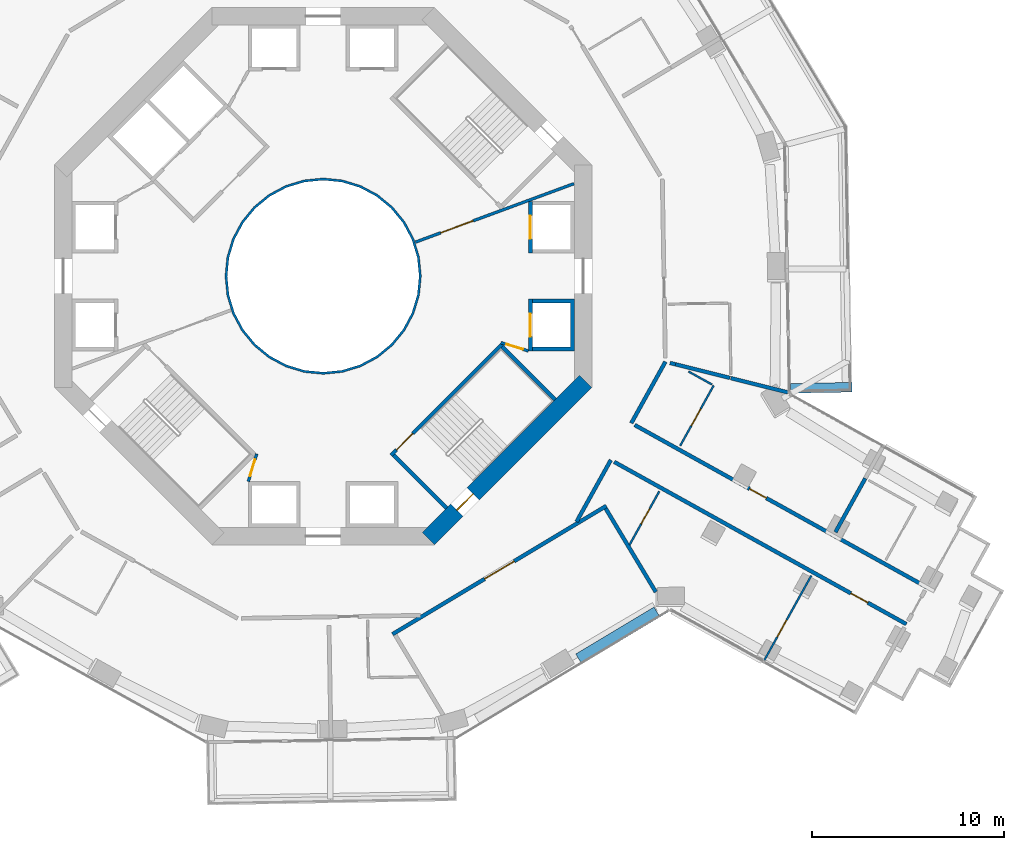
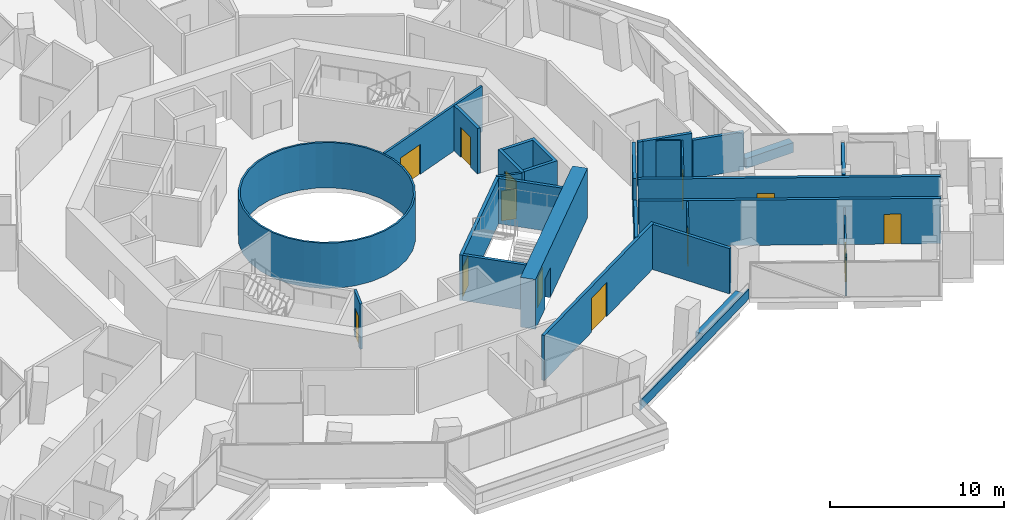
# One storey, part 19 of 25: 28 walls, 13 doors, 13 openings.
"""IFC4 building model written with IfcOpenShell, lengths in metres."""

from ifc_helpers import new_model, si_unit, direction, frame, frame_2d, origin, place, context, subcontext, project, spatial, polyline, rectangle, outline, extrude, material, layer, layer_set, type_object, element, fill, save


model = new_model("IFC4")

# Units and contexts
model_context = context("Model", 3, precision=1e-05, world=origin(), true_north=direction((0.0, 1.0)))
body_context = subcontext(model_context, "Body", "Model", "MODEL_VIEW")
ifc_project = project(units=[si_unit("LENGTHUNIT", "METRE"), si_unit("AREAUNIT", "SQUARE_METRE"), si_unit("VOLUMEUNIT", "CUBIC_METRE"), si_unit("PLANEANGLEUNIT", "RADIAN"), si_unit("MASSUNIT", "GRAM", prefix="KILO")], contexts=[model_context])

# Site, building, storey
site_placement = place(None, origin())
site = spatial("IfcSite", under=ifc_project, at=site_placement, CompositionType="ELEMENT")
building_placement = place(site_placement, origin())
building = spatial("IfcBuilding", under=site, at=building_placement, Name="Verdalira Terraces Hotel", CompositionType="ELEMENT")
storey_placement = place(building_placement, frame((0.0, 0.0, 39.0)))
storey = spatial("IfcBuildingStorey", under=building, at=storey_placement, Name="L07", CompositionType="ELEMENT", Elevation=39.0)

# Walls
ifc_material_1 = material(Name="Fire-resisting glass EI 180", Category="glass")
ifc_layer_1 = layer(ifc_material_1, 0.1201171875)
ifc_layer_set_1 = layer_set([ifc_layer_1], Name="Atrium fire screen 120 mm")
wall_type_1 = type_object("IfcWallType", Name="Atrium fire screen 120 mm", PredefinedType="SOLIDWALL", material=ifc_layer_set_1)
wall_1_placement = place(storey_placement, origin())
element("IfcWall", 1, at=wall_1_placement, inside=storey, type_object=wall_type_1, Name="Atrium fire screen", PredefinedType="SOLIDWALL", context=body_context, shape_type="SweptSolid", body=[
    extrude(outline(polyline([(5.021484, -0.998779), (4.730225, -1.959229), (4.25708, -2.844482), (3.620361, -3.620361), (2.844482, -4.25708), (1.959229, -4.730225), (0.998779, -5.021484), (0.0, -5.120117), (-0.998779, -5.021484), (-1.959229, -4.730225), (-2.844482, -4.25708), (-3.620361, -3.620361), (-4.25708, -2.844482), (-4.730225, -1.959229), (-5.021484, -0.998779), (-5.120117, 0.0), (-5.021484, 0.998779), (-4.730225, 1.959229), (-4.25708, 2.844482), (-3.620361, 3.620361), (-2.844482, 4.25708), (-1.959229, 4.730225), (-0.998779, 5.021484), (0.0, 5.120117), (0.998779, 5.021484), (1.959229, 4.730225), (2.844482, 4.25708), (3.620361, 3.620361), (4.25708, 2.844482), (4.730225, 1.959229), (5.021484, 0.998779), (5.120117, 0.0), (5.021484, -0.998779)]), holes=[polyline([(4.903809, 0.975586), (4.619385, 1.91333), (4.157227, 2.777832), (3.5354, 3.5354), (2.777832, 4.157227), (1.91333, 4.619385), (0.975586, 4.903809), (0.0, 5.0), (-0.975586, 4.903809), (-1.91333, 4.619385), (-2.777832, 4.157227), (-3.5354, 3.5354), (-4.157227, 2.777832), (-4.619385, 1.91333), (-4.903809, 0.975586), (-5.0, 0.0), (-4.903809, -0.975586), (-4.619385, -1.91333), (-4.157227, -2.777832), (-3.5354, -3.5354), (-2.777832, -4.157227), (-1.91333, -4.619385), (-0.975586, -4.903809), (0.0, -5.0), (0.975586, -4.903809), (1.91333, -4.619385), (2.777832, -4.157227), (3.5354, -3.5354), (4.157227, -2.777832), (4.619385, -1.91333), (4.903809, -0.975586), (5.0, 0.0), (4.903809, 0.975586)])]), origin(), (0.0, 0.0, 1.0), 3.189941),
])
ifc_material_2 = material(Name="Concrete C40", Category="concrete")
ifc_layer_2 = layer(ifc_material_2, 0.5)
ifc_layer_set_2 = layer_set([ifc_layer_2], Name="Balcony planter trough with tree")
wall_type_2 = type_object("IfcWallType", Name="Balcony planter trough with tree", PredefinedType="SOLIDWALL", material=ifc_layer_set_2)
wall_2_placement = place(storey_placement, frame((24.360596, -5.842773, 0.0), z_axis=(0.0, 0.0, 1.0), x_axis=(0.999859034, 0.016790244, 0.0)))
element("IfcWall", 2, at=wall_2_placement, inside=storey, type_object=wall_type_2, Name="Balcony planter", PredefinedType="SOLIDWALL", context=body_context, shape_type="SweptSolid", body=[
    extrude(rectangle(XDim=3.198975, YDim=0.5, at=frame_2d((1.599609, 0.0))), origin(), (0.0, 0.0, 1.0), 0.699951),
])

# Wall, opening, door
ifc_material_3 = material(Name="Moisture-resistant gypsum board partition")
ifc_layer_3 = layer(ifc_material_3, 0.10009765625)
ifc_layer_set_3 = layer_set([ifc_layer_3], Name="Bathroom partition 100 mm")
wall_type_3 = type_object("IfcWallType", Name="Bathroom partition 100 mm", PredefinedType="PARTITIONING", material=ifc_layer_set_3)
wall_3_placement = place(storey_placement, frame((15.9646, -14.01001, 0.0), z_axis=(0.0, 0.0, 1.0), x_axis=(0.485442051, 0.874268846, 0.0)))
wall_3 = element("IfcWall", 3, at=wall_3_placement, inside=storey, type_object=wall_type_3, Name="Bathroom partition", PredefinedType="PARTITIONING", context=body_context, shape_type="SweptSolid", body=[
    extrude(rectangle(XDim=3.199219, YDim=0.100098, at=frame_2d((1.599609, 0.0))), origin(), (0.0, 0.0, 1.0), 3.189941),
])
opening_1_placement = place(wall_3_placement, frame((1.25, 0.0, 0.0)))
opening_1 = element("IfcOpeningElement", 4, at=opening_1_placement, cuts=wall_3, Name="Opening L07-123", PredefinedType="OPENING", context=body_context, shape_type="SweptSolid", body=[
    extrude(rectangle(XDim=0.899902, YDim=2.100098, at=frame_2d((0.449951, 1.050049))), frame((0.0, 0.060059, 0.0), z_axis=(0.0, -1.0, 0.0), x_axis=(1.0, 0.0, 0.0)), (0.0, 0.0, 1.0), 0.120117),
])
ifc_material_4 = material(Name="Timber door", Category="wood")
door_type_1 = type_object("IfcDoorType", Name="Bathroom door 900 x 2100", OperationType="NOTDEFINED", PredefinedType="DOOR", material=ifc_material_4)
door_1_placement = place(opening_1_placement, origin())
door_1 = element("IfcDoor", 5, at=door_1_placement, inside=storey, type_object=door_type_1, Name="Bathroom door 0711", OperationType="SINGLE_SWING_LEFT", OverallHeight=2.10009765625, OverallWidth=0.89990234375, PredefinedType="DOOR", context=body_context, shape_type="SweptSolid", body=[
    extrude(rectangle(XDim=0.899902, YDim=2.100098, at=frame_2d((0.449951, 1.050049))), frame((0.0, 0.024902, 0.0), z_axis=(0.0, -1.0, 0.0), x_axis=(1.0, 0.0, 0.0)), (0.0, 0.0, 1.0), 0.050049),
])
fill(opening_1, door_1)

wall_4_placement = place(storey_placement, frame((18.604736, -8.843018, 0.0), z_axis=(0.0, 0.0, 1.0), x_axis=(0.485395335, 0.874294783, 0.0)))
wall_4 = element("IfcWall", 6, at=wall_4_placement, inside=storey, type_object=wall_type_3, Name="Bathroom partition", PredefinedType="PARTITIONING", context=body_context, shape_type="SweptSolid", body=[
    extrude(rectangle(XDim=3.600342, YDim=0.100098, at=frame_2d((1.800293, 0.0))), origin(), (0.0, 0.0, 1.0), 3.189941),
])
opening_2_placement = place(wall_4_placement, frame((1.199951, 0.0, 0.0)))
opening_2 = element("IfcOpeningElement", 7, at=opening_2_placement, cuts=wall_4, Name="Opening L07-128", PredefinedType="OPENING", context=body_context, shape_type="SweptSolid", body=[
    extrude(rectangle(XDim=1.0, YDim=2.100098, at=frame_2d((0.5, 1.050049))), frame((0.0, 0.060059, 0.0), z_axis=(0.0, -1.0, 0.0), x_axis=(1.0, 0.0, 0.0)), (0.0, 0.0, 1.0), 0.120117),
])
ifc_material_5 = material(Name="Timber door", Category="wood")
door_type_2 = type_object("IfcDoorType", Name="Bathroom door 1000 x 2100", OperationType="NOTDEFINED", PredefinedType="DOOR", material=ifc_material_5)
door_2_placement = place(opening_2_placement, origin())
door_2 = element("IfcDoor", 8, at=door_2_placement, inside=storey, type_object=door_type_2, Name="Bathroom door 0713", OperationType="SINGLE_SWING_RIGHT", OverallHeight=2.10009765625, OverallWidth=1.0, PredefinedType="DOOR", context=body_context, shape_type="SweptSolid", body=[
    extrude(rectangle(XDim=1.0, YDim=2.100098, at=frame_2d((0.5, 1.050049))), frame((0.0, 0.024902, 0.0), z_axis=(0.0, -1.0, 0.0), x_axis=(1.0, 0.0, 0.0)), (0.0, 0.0, 1.0), 0.050049),
])
fill(opening_2, door_2)

# Wall
wall_5_placement = place(storey_placement, frame((19.042236, -4.968018, 0.0), z_axis=(0.0, 0.0, 1.0), x_axis=(0.87424784, -0.485479881, 0.0)))
element("IfcWall", 9, at=wall_5_placement, inside=storey, type_object=wall_type_3, Name="Bathroom partition", PredefinedType="PARTITIONING", context=body_context, shape_type="SweptSolid", body=[
    extrude(rectangle(XDim=1.398438, YDim=0.100098, at=frame_2d((0.699219, 0.0))), origin(), (0.0, 0.0, 1.0), 3.189941),
])

# Wall, opening, door
ifc_material_6 = material(Name="Moisture-resistant gypsum board partition")
ifc_layer_4 = layer(ifc_material_6, 0.10009765625)
ifc_layer_set_4 = layer_set([ifc_layer_4], Name="Bathroom partition 100 mm to beam soffit")
wall_type_4 = type_object("IfcWallType", Name="Bathroom partition 100 mm to beam soffit", PredefinedType="PARTITIONING", material=ifc_layer_set_4)
wall_6_placement = place(storey_placement, frame((22.98584, -20.025391, 0.0), z_axis=(0.0, 0.0, 1.0), x_axis=(0.485413057, 0.874284945, 0.0)))
wall_6 = element("IfcWall", 10, at=wall_6_placement, inside=storey, type_object=wall_type_4, Name="Bathroom partition", PredefinedType="PARTITIONING", context=body_context, shape_type="SweptSolid", body=[
    extrude(rectangle(XDim=5.050049, YDim=0.100098, at=frame_2d((2.524902, 0.0))), origin(), (0.0, 0.0, 1.0), 2.689941),
])
opening_3_placement = place(wall_6_placement, frame((1.399902, 0.0, 0.0)))
opening_3 = element("IfcOpeningElement", 11, at=opening_3_placement, cuts=wall_6, Name="Opening L07-122", PredefinedType="OPENING", context=body_context, shape_type="SweptSolid", body=[
    extrude(rectangle(XDim=1.0, YDim=2.100098, at=frame_2d((0.5, 1.050049))), frame((0.0, 0.060059, 0.0), z_axis=(0.0, -1.0, 0.0), x_axis=(1.0, 0.0, 0.0)), (0.0, 0.0, 1.0), 0.120117),
])
ifc_material_7 = material(Name="Timber door", Category="wood")
door_type_3 = type_object("IfcDoorType", Name="Suite internal door 1000 x 2100", OperationType="NOTDEFINED", PredefinedType="DOOR", material=ifc_material_7)
door_3_placement = place(opening_3_placement, origin())
door_3 = element("IfcDoor", 12, at=door_3_placement, inside=storey, type_object=door_type_3, Name="Suite internal door 0711", OperationType="SINGLE_SWING_LEFT", OverallHeight=2.10009765625, OverallWidth=1.0, PredefinedType="DOOR", context=body_context, shape_type="SweptSolid", body=[
    extrude(rectangle(XDim=1.0, YDim=2.100098, at=frame_2d((0.5, 1.050049))), frame((0.0, 0.024902, 0.0), z_axis=(0.0, -1.0, 0.0), x_axis=(1.0, 0.0, 0.0)), (0.0, 0.0, 1.0), 0.050049),
])
fill(opening_3, door_3)

# Wall
ifc_material_8 = material(Name="Concrete C50", Category="concrete")
ifc_layer_5 = layer(ifc_material_8, 0.199951171875)
ifc_layer_set_5 = layer_set([ifc_layer_5], Name="Core RC wall 200 C50")
wall_type_5 = type_object("IfcWallType", Name="Core RC wall 200 C50", PredefinedType="SOLIDWALL", material=ifc_layer_set_5)
wall_7_placement = place(storey_placement, origin())
element("IfcWall", 13, at=wall_7_placement, inside=storey, type_object=wall_type_5, Name="L07 shaft wall E1", PredefinedType="SOLIDWALL", context=body_context, shape_type="SweptSolid", body=[
    extrude(outline(polyline([(13.100098, -3.899902), (10.899902, -3.899902), (10.899902, -3.699951), (12.899902, -3.699951), (12.899902, -1.399902), (10.899902, -1.399902), (10.899902, -1.199951), (13.100098, -1.199951), (13.100098, -3.899902)])), origin(), (0.0, 0.0, 1.0), 3.189941),
])

# Wall, opening, door
wall_8_placement = place(storey_placement, frame((10.800049, -1.199951, 0.0), z_axis=(0.0, 0.0, 1.0), x_axis=(0.0, -1.0, 0.0)))
wall_8 = element("IfcWall", 14, at=wall_8_placement, inside=storey, type_object=wall_type_5, Name="L07 shaft front wall E1", PredefinedType="SOLIDWALL", context=body_context, shape_type="SweptSolid", body=[
    extrude(rectangle(XDim=2.699951, YDim=0.199951, at=frame_2d((1.350098, 0.0))), origin(), (0.0, 0.0, 1.0), 3.189941),
])
opening_4_placement = place(wall_8_placement, frame((0.75, 0.0, 0.0)))
opening_4 = element("IfcOpeningElement", 15, at=opening_4_placement, cuts=wall_8, Name="Opening LD-L07-801", PredefinedType="OPENING", context=body_context, shape_type="SweptSolid", body=[
    extrude(rectangle(XDim=1.199951, YDim=2.100098, at=frame_2d((0.600098, 1.050049))), frame((0.0, 0.109863, 0.0), z_axis=(0.0, -1.0, 0.0), x_axis=(1.0, 0.0, 0.0)), (0.0, 0.0, 1.0), 0.219971),
])
ifc_material_9 = material(Name="Stainless steel", Category="steel")
door_type_4 = type_object("IfcDoorType", Name="Landing door 1200 x 2100", OperationType="NOTDEFINED", PredefinedType="DOOR", material=ifc_material_9)
door_4_placement = place(opening_4_placement, origin())
door_4 = element("IfcDoor", 16, at=door_4_placement, inside=storey, type_object=door_type_4, Name="Lift landing door LR1 L07", OperationType="DOUBLE_DOOR_SLIDING", OverallHeight=2.10009765625, OverallWidth=1.199951171875, PredefinedType="DOOR", context=body_context, shape_type="SweptSolid", body=[
    extrude(rectangle(XDim=1.199951, YDim=2.100098, at=frame_2d((0.600098, 1.050049))), frame((0.0, 0.024902, 0.0), z_axis=(0.0, -1.0, 0.0), x_axis=(1.0, 0.0, 0.0)), (0.0, 0.0, 1.0), 0.050049),
])
fill(opening_4, door_4)

wall_9_placement = place(storey_placement, frame((10.800049, 1.199951, 0.0), z_axis=(0.0, 0.0, 1.0), x_axis=(0.0, 1.0, 0.0)))
wall_9 = element("IfcWall", 17, at=wall_9_placement, inside=storey, type_object=wall_type_5, Name="L07 shaft front wall E2", PredefinedType="SOLIDWALL", context=body_context, shape_type="SweptSolid", body=[
    extrude(rectangle(XDim=2.699951, YDim=0.199951, at=frame_2d((1.350098, 0.0))), origin(), (0.0, 0.0, 1.0), 3.189941),
])
opening_5_placement = place(wall_9_placement, frame((0.75, 0.0, 0.0)))
opening_5 = element("IfcOpeningElement", 18, at=opening_5_placement, cuts=wall_9, Name="Opening LD-L07-802", PredefinedType="OPENING", context=body_context, shape_type="SweptSolid", body=[
    extrude(rectangle(XDim=1.199951, YDim=2.100098, at=frame_2d((0.600098, 1.050049))), frame((0.0, 0.109863, 0.0), z_axis=(0.0, -1.0, 0.0), x_axis=(1.0, 0.0, 0.0)), (0.0, 0.0, 1.0), 0.219971),
])
door_5_placement = place(opening_5_placement, origin())
door_5 = element("IfcDoor", 19, at=door_5_placement, inside=storey, type_object=door_type_4, Name="Lift landing door LR2 L07", OperationType="DOUBLE_DOOR_SLIDING", OverallHeight=2.10009765625, OverallWidth=1.199951171875, PredefinedType="DOOR", context=body_context, shape_type="SweptSolid", body=[
    extrude(rectangle(XDim=1.199951, YDim=2.100098, at=frame_2d((0.600098, 1.050049))), frame((0.0, 0.024902, 0.0), z_axis=(0.0, -1.0, 0.0), x_axis=(1.0, 0.0, 0.0)), (0.0, 0.0, 1.0), 0.050049),
])
fill(opening_5, door_5)

wall_10_placement = place(storey_placement, frame((9.33374, -3.5354, 0.0), z_axis=(0.0, 0.0, 1.0), x_axis=(-0.707106781, -0.707106781, 0.0)))
wall_10 = element("IfcWall", 20, at=wall_10_placement, inside=storey, type_object=wall_type_5, Name="L07 stair ST3 front wall", PredefinedType="SOLIDWALL", context=body_context, shape_type="SweptSolid", body=[
    extrude(rectangle(XDim=8.200195, YDim=0.199951, at=frame_2d((4.100098, 0.0))), origin(), (0.0, 0.0, 1.0), 3.189941),
])
opening_6_placement = place(wall_10_placement, frame((6.600098, 0.0, 0.0)))
opening_6 = element("IfcOpeningElement", 21, at=opening_6_placement, cuts=wall_10, Name="Opening L07-811", PredefinedType="OPENING", context=body_context, shape_type="SweptSolid", body=[
    extrude(rectangle(XDim=1.199951, YDim=2.100098, at=frame_2d((0.600098, 1.050049))), frame((0.0, 0.109863, 0.0), z_axis=(0.0, -1.0, 0.0), x_axis=(1.0, 0.0, 0.0)), (0.0, 0.0, 1.0), 0.219971),
])
ifc_material_10 = material(Name="Steel fire door", Category="steel")
door_type_5 = type_object("IfcDoorType", Name="Stair door 1200 x 2100", OperationType="NOTDEFINED", PredefinedType="DOOR", material=ifc_material_10)
door_6_placement = place(opening_6_placement, origin())
door_6 = element("IfcDoor", 22, at=door_6_placement, inside=storey, type_object=door_type_5, Name="Stair door ST3 L07", OperationType="SINGLE_SWING_RIGHT", OverallHeight=2.10009765625, OverallWidth=1.199951171875, PredefinedType="DOOR", context=body_context, shape_type="SweptSolid", body=[
    extrude(rectangle(XDim=1.199951, YDim=2.100098, at=frame_2d((0.600098, 1.050049))), frame((0.0, 0.024902, 0.0), z_axis=(0.0, -1.0, 0.0), x_axis=(1.0, 0.0, 0.0)), (0.0, 0.0, 1.0), 0.050049),
])
fill(opening_6, door_6)

# Walls
for number, where, z_axis, x_axis, name in (
    (23, (3.677002, -9.33374, 0.0), (0.0, 0.0, 1.0), (0.707106781, -0.707106781, 0.0), "L07 stair ST3 end wall 1"),
    (24, (9.33374, -3.677002, 0.0), (0.0, 0.0, 1.0), (0.707106781, -0.707106781, 0.0), "L07 stair ST3 end wall 2"),
):
    element("IfcWall", number, at=place(storey_placement, frame(where, z_axis=z_axis, x_axis=x_axis)), inside=storey, type_object=wall_type_5, Name=name, PredefinedType="SOLIDWALL", context=body_context, shape_type="SweptSolid", body=[
        extrude(rectangle(XDim=3.900146, YDim=0.199951, at=frame_2d((1.950195, 0.0))), origin(), (0.0, 0.0, 1.0), 3.189941),
    ])

# Wall, opening, door
ifc_material_11 = material(Name="Gypsum board partition")
ifc_layer_6 = layer(ifc_material_11, 0.14990234375)
ifc_layer_set_6 = layer_set([ifc_layer_6], Name="Core partition 150 mm")
wall_type_6 = type_object("IfcWallType", Name="Core partition 150 mm", PredefinedType="PARTITIONING", material=ifc_layer_set_6)
wall_11_placement = place(storey_placement, frame((-3.464844, -9.263184, 0.0), z_axis=(0.0, 0.0, 1.0), x_axis=(-0.289808785, -0.957084567, 0.0)))
wall_11 = element("IfcWall", 25, at=wall_11_placement, inside=storey, type_object=wall_type_6, Name="Room partition L07", PredefinedType="PARTITIONING", context=body_context, shape_type="SweptSolid", body=[
    extrude(rectangle(XDim=1.501221, YDim=0.149902, at=frame_2d((0.750488, 0.0))), origin(), (0.0, 0.0, 1.0), 3.189941),
])
opening_7_placement = place(wall_11_placement, frame((0.300781, 0.0, 0.0)))
opening_7 = element("IfcOpeningElement", 26, at=opening_7_placement, cuts=wall_11, Name="Opening L07-822", PredefinedType="OPENING", context=body_context, shape_type="SweptSolid", body=[
    extrude(rectangle(XDim=0.899902, YDim=2.100098, at=frame_2d((0.449951, 1.050049))), frame((0.0, 0.084961, 0.0), z_axis=(0.0, -1.0, 0.0), x_axis=(1.0, 0.0, 0.0)), (0.0, 0.0, 1.0), 0.169922),
])
ifc_material_12 = material(Name="Steel fire door", Category="steel")
door_type_6 = type_object("IfcDoorType", Name="Core room door 900 x 2100", OperationType="NOTDEFINED", PredefinedType="DOOR", material=ifc_material_12)
door_7_placement = place(opening_7_placement, origin())
door_7 = element("IfcDoor", 27, at=door_7_placement, inside=storey, type_object=door_type_6, Name="Door L07 room5", OperationType="SINGLE_SWING_LEFT", OverallHeight=2.10009765625, OverallWidth=0.89990234375, PredefinedType="DOOR", context=body_context, shape_type="SweptSolid", body=[
    extrude(rectangle(XDim=0.899902, YDim=2.100098, at=frame_2d((0.449951, 1.050049))), frame((0.0, 0.024902, 0.0), z_axis=(0.0, -1.0, 0.0), x_axis=(1.0, 0.0, 0.0)), (0.0, 0.0, 1.0), 0.050049),
])
fill(opening_7, door_7)

wall_12_placement = place(storey_placement, frame((9.263184, -3.464844, 0.0), z_axis=(0.0, 0.0, 1.0), x_axis=(0.957084567, -0.289808785, 0.0)))
wall_12 = element("IfcWall", 28, at=wall_12_placement, inside=storey, type_object=wall_type_6, Name="Room partition L07", PredefinedType="PARTITIONING", context=body_context, shape_type="SweptSolid", body=[
    extrude(rectangle(XDim=1.501221, YDim=0.149902, at=frame_2d((0.750488, 0.0))), origin(), (0.0, 0.0, 1.0), 3.189941),
])
opening_8_placement = place(wall_12_placement, frame((0.300781, 0.0, 0.0)))
opening_8 = element("IfcOpeningElement", 29, at=opening_8_placement, cuts=wall_12, Name="Opening L07-823", PredefinedType="OPENING", context=body_context, shape_type="SweptSolid", body=[
    extrude(rectangle(XDim=0.899902, YDim=2.100098, at=frame_2d((0.449951, 1.050049))), frame((0.0, 0.084961, 0.0), z_axis=(0.0, -1.0, 0.0), x_axis=(1.0, 0.0, 0.0)), (0.0, 0.0, 1.0), 0.169922),
])
door_8_placement = place(opening_8_placement, origin())
door_8 = element("IfcDoor", 30, at=door_8_placement, inside=storey, type_object=door_type_6, Name="Door L07 room7", OperationType="SINGLE_SWING_LEFT", OverallHeight=2.10009765625, OverallWidth=0.89990234375, PredefinedType="DOOR", context=body_context, shape_type="SweptSolid", body=[
    extrude(rectangle(XDim=0.899902, YDim=2.100098, at=frame_2d((0.449951, 1.050049))), frame((0.0, 0.024902, 0.0), z_axis=(0.0, -1.0, 0.0), x_axis=(1.0, 0.0, 0.0)), (0.0, 0.0, 1.0), 0.050049),
])
fill(opening_8, door_8)

wall_13_placement = place(storey_placement, frame((4.812988, 1.775635, 0.0), z_axis=(0.0, 0.0, 1.0), x_axis=(0.93819293, 0.346112737, 0.0)))
wall_13 = element("IfcWall", 31, at=wall_13_placement, inside=storey, type_object=wall_type_6, Name="Gallery fire partition L07", PredefinedType="PARTITIONING", context=body_context, shape_type="SweptSolid", body=[
    extrude(rectangle(XDim=8.803223, YDim=0.149902, at=frame_2d((4.401611, 0.0))), origin(), (0.0, 0.0, 1.0), 3.189941),
])
opening_9_placement = place(wall_13_placement, frame((1.399902, 0.0, 0.0)))
opening_9 = element("IfcOpeningElement", 32, at=opening_9_placement, cuts=wall_13, Name="Opening L07-824", PredefinedType="OPENING", context=body_context, shape_type="SweptSolid", body=[
    extrude(rectangle(XDim=1.800049, YDim=2.100098, at=frame_2d((0.899902, 1.050049))), frame((0.0, 0.084961, 0.0), z_axis=(0.0, -1.0, 0.0), x_axis=(1.0, 0.0, 0.0)), (0.0, 0.0, 1.0), 0.169922),
])
ifc_material_13 = material(Name="Steel fire door", Category="steel")
door_type_7 = type_object("IfcDoorType", Name="Gallery fire door pair 1800 x 2100", OperationType="NOTDEFINED", PredefinedType="DOOR", material=ifc_material_13)
door_9_placement = place(opening_9_placement, origin())
door_9 = element("IfcDoor", 33, at=door_9_placement, inside=storey, type_object=door_type_7, Name="Door L07 split0", OperationType="DOUBLE_DOOR_SINGLE_SWING", OverallHeight=2.10009765625, OverallWidth=1.800048828125, PredefinedType="DOOR", context=body_context, shape_type="SweptSolid", body=[
    extrude(rectangle(XDim=1.800049, YDim=2.100098, at=frame_2d((0.899902, 1.050049))), frame((0.0, 0.024902, 0.0), z_axis=(0.0, -1.0, 0.0), x_axis=(1.0, 0.0, 0.0)), (0.0, 0.0, 1.0), 0.050049),
])
fill(opening_9, door_9)

ifc_material_14 = material(Name="Concrete C70", Category="concrete")
ifc_layer_7 = layer(ifc_material_14, 0.89990234375)
ifc_layer_set_7 = layer_set([ifc_layer_7], Name="Core wall 900 C70")
wall_type_7 = type_object("IfcWallType", Name="Core wall 900 C70", PredefinedType="SHEAR", material=ifc_layer_set_7)
wall_14_placement = place(storey_placement, frame((5.480713, -13.681885, 0.0), z_axis=(0.0, 0.0, 1.0), x_axis=(0.707106781, 0.707106781, 0.0)))
wall_14 = element("IfcWall", 34, at=wall_14_placement, inside=storey, type_object=wall_type_7, Name="Core wall CW-L07-8", PredefinedType="SHEAR", context=body_context, shape_type="SweptSolid", body=[
    extrude(rectangle(XDim=11.598145, YDim=0.899902, at=frame_2d((5.799072, 0.0))), origin(), (0.0, 0.0, 1.0), 3.5),
])
opening_10_placement = place(wall_14_placement, frame((2.099121, 0.0, 0.0)))
opening_10 = element("IfcOpeningElement", 35, at=opening_10_placement, cuts=wall_14, Name="Opening L07-818", PredefinedType="OPENING", context=body_context, shape_type="SweptSolid", body=[
    extrude(rectangle(XDim=1.199951, YDim=2.100098, at=frame_2d((0.600098, 1.050049))), frame((0.0, 0.459961, 0.0), z_axis=(0.0, -1.0, 0.0), x_axis=(1.0, 0.0, 0.0)), (0.0, 0.0, 1.0), 0.919922),
])
door_10_placement = place(opening_10_placement, origin())
door_10 = element("IfcDoor", 36, at=door_10_placement, inside=storey, type_object=door_type_5, Name="Stair exit door ST3 L07", OperationType="SINGLE_SWING_LEFT", OverallHeight=2.10009765625, OverallWidth=1.199951171875, PredefinedType="DOOR", context=body_context, shape_type="SweptSolid", body=[
    extrude(rectangle(XDim=1.199951, YDim=2.100098, at=frame_2d((0.600098, 1.050049))), frame((0.0, 0.024902, 0.0), z_axis=(0.0, -1.0, 0.0), x_axis=(1.0, 0.0, 0.0)), (0.0, 0.0, 1.0), 0.050049),
])
fill(opening_10, door_10)

# Walls
ifc_material_15 = material(Name="Fire-rated gypsum board wall")
ifc_layer_8 = layer(ifc_material_15, 0.199951171875)
ifc_layer_set_8 = layer_set([ifc_layer_8], Name="Demising wall 200 mm")
wall_type_8 = type_object("IfcWallType", Name="Demising wall 200 mm", PredefinedType="SOLIDWALL", material=ifc_layer_set_8)
wall_15_placement = place(storey_placement, frame((18.074463, -4.52002, 0.0), z_axis=(0.0, 0.0, 1.0), x_axis=(0.970190159, -0.24234491, 0.0)))
element("IfcWall", 37, at=wall_15_placement, inside=storey, type_object=wall_type_8, Name="Demising wall", PredefinedType="SOLIDWALL", context=body_context, shape_type="SweptSolid", body=[
    extrude(rectangle(XDim=0.30127, YDim=0.199951, at=frame_2d((0.150635, 0.0))), origin(), (0.0, 0.0, 1.0), 3.189941),
])
wall_16_placement = place(storey_placement, frame((18.366699, -4.593018, 0.0), z_axis=(0.0, 0.0, 1.0), x_axis=(0.970127766, -0.242594552, 0.0)))
element("IfcWall", 38, at=wall_16_placement, inside=storey, type_object=wall_type_8, Name="Demising wall", PredefinedType="SOLIDWALL", context=body_context, shape_type="SweptSolid", body=[
    extrude(rectangle(XDim=2.924561, YDim=0.199951, at=frame_2d((1.462402, 0.0))), origin(), (0.0, 0.0, 1.0), 3.189941),
])
wall_17_placement = place(storey_placement, frame((26.699219, -13.337158, 0.0), z_axis=(0.0, 0.0, 1.0), x_axis=(0.485429163, 0.874276002, 0.0)))
element("IfcWall", 39, at=wall_17_placement, inside=storey, type_object=wall_type_8, Name="Demising wall", PredefinedType="SOLIDWALL", context=body_context, shape_type="SweptSolid", body=[
    extrude(rectangle(XDim=3.200195, YDim=0.199951, at=frame_2d((1.600098, 0.0))), origin(), (0.0, 0.0, 1.0), 3.189941),
])
ifc_material_16 = material(Name="Fire-rated gypsum board wall")
ifc_layer_9 = layer(ifc_material_16, 0.199951171875)
ifc_layer_set_9 = layer_set([ifc_layer_9], Name="Demising wall 200 mm to beam soffit")
wall_type_9 = type_object("IfcWallType", Name="Demising wall 200 mm to beam soffit", PredefinedType="SOLIDWALL", material=ifc_layer_set_9)
wall_18_placement = place(storey_placement, frame((21.248291, -5.313721, 0.0), z_axis=(0.0, 0.0, 1.0), x_axis=(0.970128425, -0.242591917, 0.0)))
element("IfcWall", 40, at=wall_18_placement, inside=storey, type_object=wall_type_9, Name="Demising wall", PredefinedType="SOLIDWALL", context=body_context, shape_type="SweptSolid", body=[
    extrude(rectangle(XDim=3.061523, YDim=0.199951, at=frame_2d((1.530762, 0.0))), origin(), (0.0, 0.0, 1.0), 2.689941),
])
ifc_material_17 = material(Name="Fire-rated gypsum board wall")
ifc_layer_10 = layer(ifc_material_17, 0.199951171875)
ifc_layer_set_10 = layer_set([ifc_layer_10], Name="Guest corridor wall 200 mm")
wall_type_10 = type_object("IfcWallType", Name="Guest corridor wall 200 mm", PredefinedType="SOLIDWALL", material=ifc_layer_set_10)
wall_19_placement = place(storey_placement, frame((13.206299, -12.797852, 0.0), z_axis=(0.0, 0.0, 1.0), x_axis=(0.485400581, 0.874291871, 0.0)))
element("IfcWall", 41, at=wall_19_placement, inside=storey, type_object=wall_type_10, Name="Guest corridor wall", PredefinedType="SOLIDWALL", context=body_context, shape_type="SweptSolid", body=[
    extrude(rectangle(XDim=3.678223, YDim=0.199951, at=frame_2d((1.839111, 0.0))), origin(), (0.0, 0.0, 1.0), 3.189941),
])
wall_20_placement = place(storey_placement, frame((16.059814, -7.658447, 0.0), z_axis=(0.0, 0.0, 1.0), x_axis=(0.485450261, 0.874264287, 0.0)))
element("IfcWall", 42, at=wall_20_placement, inside=storey, type_object=wall_type_10, Name="Guest corridor wall", PredefinedType="SOLIDWALL", context=body_context, shape_type="SweptSolid", body=[
    extrude(rectangle(XDim=3.658203, YDim=0.199951, at=frame_2d((1.829102, 0.0))), origin(), (0.0, 0.0, 1.0), 3.189941),
])

# Wall, opening, door
wall_21_placement = place(storey_placement, frame((30.394043, -18.133545, 0.0), z_axis=(0.0, 0.0, 1.0), x_axis=(-0.87427957, 0.485422737, 0.0)))
wall_21 = element("IfcWall", 43, at=wall_21_placement, inside=storey, type_object=wall_type_10, Name="Guest corridor wall", PredefinedType="SOLIDWALL", context=body_context, shape_type="SweptSolid", body=[
    extrude(rectangle(XDim=17.416992, YDim=0.199951, at=frame_2d((8.708496, 0.0))), origin(), (0.0, 0.0, 1.0), 3.189941),
])
opening_11_placement = place(wall_21_placement, frame((2.300049, 0.0, 0.0)))
opening_11 = element("IfcOpeningElement", 44, at=opening_11_placement, cuts=wall_21, Name="Opening L07-121", PredefinedType="OPENING", context=body_context, shape_type="SweptSolid", body=[
    extrude(rectangle(XDim=1.0, YDim=2.100098, at=frame_2d((0.5, 1.050049))), frame((0.0, 0.109863, 0.0), z_axis=(0.0, -1.0, 0.0), x_axis=(1.0, 0.0, 0.0)), (0.0, 0.0, 1.0), 0.219971),
])
ifc_material_18 = material(Name="Timber fire door", Category="wood")
door_type_8 = type_object("IfcDoorType", Name="Guest entry door 1000 x 2100", OperationType="NOTDEFINED", PredefinedType="DOOR", material=ifc_material_18)
door_11_placement = place(opening_11_placement, origin())
door_11 = element("IfcDoor", 45, at=door_11_placement, inside=storey, type_object=door_type_8, Name="Guest entry door 0711", OperationType="SINGLE_SWING_LEFT", OverallHeight=2.10009765625, OverallWidth=1.0, PredefinedType="DOOR", context=body_context, shape_type="SweptSolid", body=[
    extrude(rectangle(XDim=1.0, YDim=2.100098, at=frame_2d((0.5, 1.050049))), frame((0.0, 0.024902, 0.0), z_axis=(0.0, -1.0, 0.0), x_axis=(1.0, 0.0, 0.0)), (0.0, 0.0, 1.0), 0.050049),
])
fill(opening_11, door_11)

wall_22_placement = place(storey_placement, frame((16.234619, -7.755615, 0.0), z_axis=(0.0, 0.0, 1.0), x_axis=(0.87427957, -0.485422737, 0.0)))
wall_22 = element("IfcWall", 46, at=wall_22_placement, inside=storey, type_object=wall_type_10, Name="Guest corridor wall", PredefinedType="SOLIDWALL", context=body_context, shape_type="SweptSolid", body=[
    extrude(rectangle(XDim=17.416992, YDim=0.199951, at=frame_2d((8.708496, 0.0))), origin(), (0.0, 0.0, 1.0), 3.189941),
])
opening_12_placement = place(wall_22_placement, frame((6.850098, 0.0, 0.0)))
opening_12 = element("IfcOpeningElement", 47, at=opening_12_placement, cuts=wall_22, Name="Opening L07-127", PredefinedType="OPENING", context=body_context, shape_type="SweptSolid", body=[
    extrude(rectangle(XDim=1.0, YDim=2.100098, at=frame_2d((0.5, 1.050049))), frame((0.0, 0.109863, 0.0), z_axis=(0.0, -1.0, 0.0), x_axis=(1.0, 0.0, 0.0)), (0.0, 0.0, 1.0), 0.219971),
])
door_12_placement = place(opening_12_placement, origin())
door_12 = element("IfcDoor", 48, at=door_12_placement, inside=storey, type_object=door_type_8, Name="Guest entry door 0713", OperationType="SINGLE_SWING_RIGHT", OverallHeight=2.10009765625, OverallWidth=1.0, PredefinedType="DOOR", context=body_context, shape_type="SweptSolid", body=[
    extrude(rectangle(XDim=1.0, YDim=2.100098, at=frame_2d((0.5, 1.050049))), frame((0.0, 0.024902, 0.0), z_axis=(0.0, -1.0, 0.0), x_axis=(1.0, 0.0, 0.0)), (0.0, 0.0, 1.0), 0.050049),
])
fill(opening_12, door_12)

ifc_material_19 = material(Name="Terracotta cladding", Category="masonry")
ifc_layer_11 = layer(ifc_material_19, 0.199951171875)
ifc_layer_set_11 = layer_set([ifc_layer_11], Name="Loggia back wall 200")
wall_type_11 = type_object("IfcWallType", Name="Loggia back wall 200", PredefinedType="SOLIDWALL", material=ifc_layer_set_11)
wall_23_placement = place(storey_placement, frame((14.760986, -11.970215, 0.0), z_axis=(0.0, 0.0, 1.0), x_axis=(-0.857527722, -0.514437758, 0.0)))
wall_23 = element("IfcWall", 49, at=wall_23_placement, inside=storey, type_object=wall_type_11, Name="Loggia back wall", PredefinedType="SOLIDWALL", context=body_context, shape_type="SweptSolid", body=[
    extrude(rectangle(XDim=13.0, YDim=0.199951, at=frame_2d((6.5, 0.0))), origin(), (0.0, 0.0, 1.0), 3.189941),
])
opening_13_placement = place(wall_23_placement, frame((5.600098, 0.0, 0.0)))
opening_13 = element("IfcOpeningElement", 50, at=opening_13_placement, cuts=wall_23, Name="Opening L07-L01", PredefinedType="OPENING", context=body_context, shape_type="SweptSolid", body=[
    extrude(rectangle(XDim=1.800049, YDim=2.399902, at=frame_2d((0.899902, 1.199951))), frame((0.0, 0.109863, 0.0), z_axis=(0.0, -1.0, 0.0), x_axis=(1.0, 0.0, 0.0)), (0.0, 0.0, 1.0), 0.219971),
])
ifc_material_20 = material(Name="Clear glass", Category="glass")
door_type_9 = type_object("IfcDoorType", Name="Garden double door 1800x2400", OperationType="NOTDEFINED", PredefinedType="DOOR", material=ifc_material_20)
door_13_placement = place(opening_13_placement, origin())
door_13 = element("IfcDoor", 51, at=door_13_placement, inside=storey, type_object=door_type_9, Name="Loggia double door", OperationType="DOUBLE_DOOR_SINGLE_SWING", OverallHeight=2.39990234375, OverallWidth=1.800048828125, PredefinedType="DOOR", context=body_context, shape_type="SweptSolid", body=[
    extrude(rectangle(XDim=1.800049, YDim=2.399902, at=frame_2d((0.899902, 1.199951))), frame((0.0, 0.024902, 0.0), z_axis=(0.0, -1.0, 0.0), x_axis=(1.0, 0.0, 0.0)), (0.0, 0.0, 1.0), 0.050049),
])
fill(opening_13, door_13)

# Walls
wall_24_placement = place(storey_placement, frame((17.336426, -16.457764, 0.0), z_axis=(0.0, 0.0, 1.0), x_axis=(-0.514446215, 0.857522648, 0.0)))
element("IfcWall", 52, at=wall_24_placement, inside=storey, type_object=wall_type_11, Name="Loggia side wall", PredefinedType="SOLIDWALL", context=body_context, shape_type="SweptSolid", body=[
    extrude(rectangle(XDim=5.073242, YDim=0.199951, at=frame_2d((2.536621, 0.0))), origin(), (0.0, 0.0, 1.0), 3.189941),
])
ifc_material_21 = material(Name="Concrete C40", Category="concrete")
ifc_layer_12 = layer(ifc_material_21, 0.5)
ifc_layer_set_12 = layer_set([ifc_layer_12], Name="Loggia planter trough with tree")
wall_type_12 = type_object("IfcWallType", Name="Loggia planter trough with tree", PredefinedType="SOLIDWALL", material=ifc_layer_set_12)
wall_25_placement = place(storey_placement, frame((13.294678, -19.905029, 0.0), z_axis=(0.0, 0.0, 1.0), x_axis=(0.857515579, 0.514457999, 0.0)))
element("IfcWall", 53, at=wall_25_placement, inside=storey, type_object=wall_type_12, Name="Loggia planter", PredefinedType="SOLIDWALL", context=body_context, shape_type="SweptSolid", body=[
    extrude(rectangle(XDim=4.754639, YDim=0.5, at=frame_2d((2.377441, 0.0))), origin(), (0.0, 0.0, 1.0), 0.699951),
])
ifc_material_22 = material(Name="Concrete C40", Category="concrete")
ifc_layer_13 = layer(ifc_material_22, 0.10009765625)
ifc_layer_set_13 = layer_set([ifc_layer_13], Name="Loggia upstand 100")
wall_type_13 = type_object("IfcWallType", Name="Loggia upstand 100", PredefinedType="SOLIDWALL", material=ifc_layer_set_13)
wall_26_placement = place(storey_placement, frame((6.948486, -24.062012, 0.0), z_axis=(0.0, 0.0, 1.0), x_axis=(0.857521446, 0.514448219, 0.0)))
element("IfcWall", 54, at=wall_26_placement, inside=storey, type_object=wall_type_13, Name="Loggia upstand", PredefinedType="SOLIDWALL", context=body_context, shape_type="SweptSolid", body=[
    extrude(rectangle(XDim=12.839844, YDim=0.100098, at=frame_2d((6.419922, 0.0))), origin(), (0.0, 0.0, 1.0), 0.699951),
])

save(model, "model.ifc")
